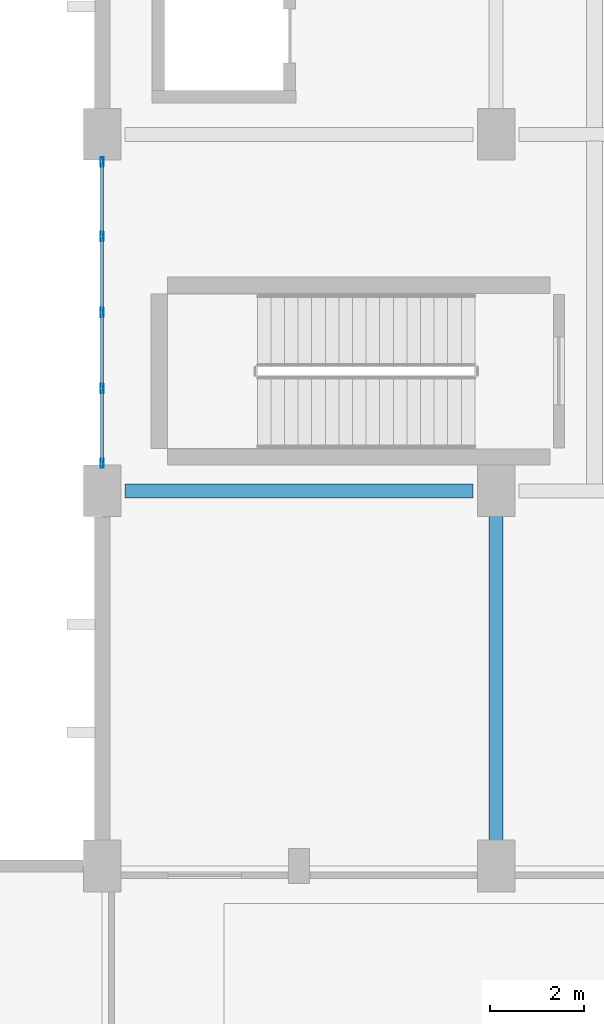
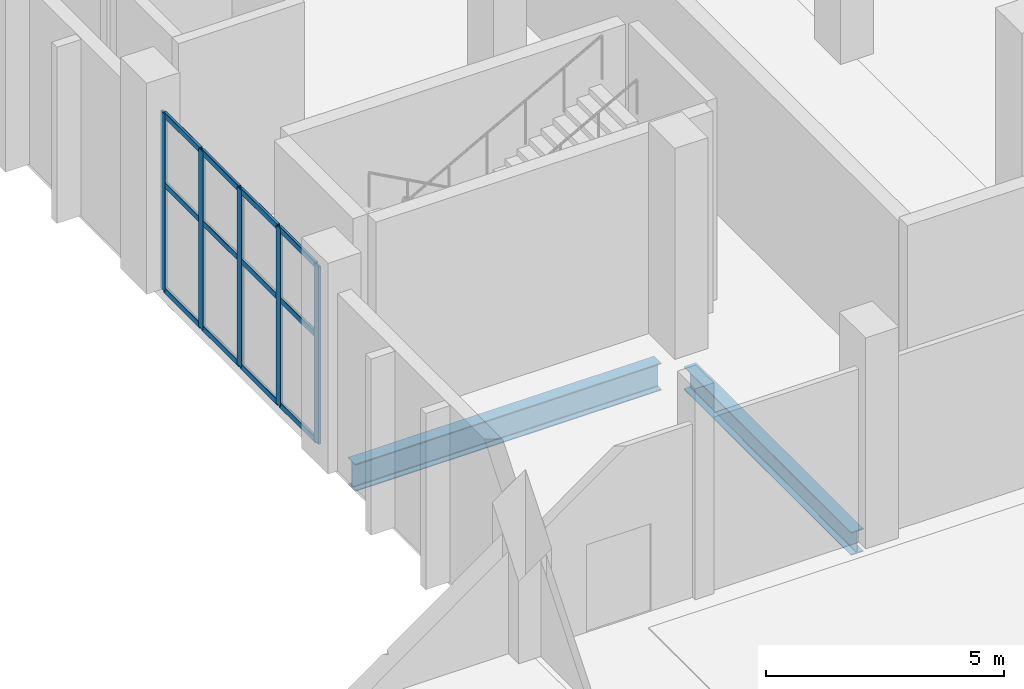
# One storey, part 41 of 95: 17 members, 2 beams, 1 element without a shape of its own.
"""IFC4 building model written with IfcOpenShell, lengths in metres."""

from ifc_helpers import new_model, si_unit, direction, frame, origin, origin_2d, place, context, subcontext, project, spatial, hollow_rectangle, i_section, extrude, material, material_profile, profile_set, type_object, element, aggregate, save


model = new_model("IFC4")

# Units and contexts
model_context = context("Model", 3, precision=1e-05, world=origin(), true_north=direction((0.0, 1.0)))
body_context = subcontext(model_context, "Body", "Model", "MODEL_VIEW")
ifc_project = project(units=[si_unit("LENGTHUNIT", "METRE"), si_unit("AREAUNIT", "SQUARE_METRE"), si_unit("VOLUMEUNIT", "CUBIC_METRE"), si_unit("PLANEANGLEUNIT", "RADIAN"), si_unit("MASSUNIT", "GRAM", prefix="KILO")], contexts=[model_context])

# Site, building, storey
site_placement = place(None, origin())
site = spatial("IfcSite", under=ifc_project, at=site_placement, CompositionType="ELEMENT")
building_placement = place(site_placement, origin())
building = spatial("IfcBuilding", under=site, at=building_placement, Name="Shengluoqiao Park Theatre", CompositionType="ELEMENT")
storey_placement = place(building_placement, origin())
storey = spatial("IfcBuildingStorey", under=building, at=storey_placement, Name="L00", CompositionType="ELEMENT", Elevation=0.0)

# Curtain wall, members
ifc_material_1 = material(Name="Aluminium 6063-T6", Category="aluminium")
curtain_wall_type = type_object("IfcCurtainWallType", Name="ENV-CW-CLERE", PredefinedType="NOTDEFINED", material=ifc_material_1)
curtain_wall_placement = place(storey_placement, origin())
curtain_wall = element("IfcCurtainWall", 1, at=curtain_wall_placement, inside=storey, type_object=curtain_wall_type, Name="L00 Curtain Wall CW-L00-0001", PredefinedType="NOTDEFINED")
ifc_material_profile_1 = material_profile(ifc_material_1, hollow_rectangle(XDim=0.06494140625, YDim=0.199951171875, WallThickness=0.0048828125, InnerFilletRadius=0.0048828125, OuterFilletRadius=0.010009765625, at=origin_2d()), Name="ALU MULLION 200x65x5")
ifc_profile_set_1 = profile_set([ifc_material_profile_1], Name="Aluminium 6063-T6")
member_type_1 = type_object("IfcMemberType", Name="ENV-MUL-200", PredefinedType="MULLION", material=ifc_profile_set_1)
member_1_placement = place(storey_placement, frame((44.39990234375, 84.58642578125, 0.0), z_axis=(0.0, 0.0, 1.0), x_axis=(-1.0, 0.0, 0.0)))
member_1 = element("IfcMember", 2, at=member_1_placement, type_object=member_type_1, Name="CW-06 mullion 1", PredefinedType="MULLION", context=body_context, shape_type="SweptSolid", body=[
    extrude(hollow_rectangle(XDim=0.06494140625, YDim=0.199951171875, WallThickness=0.0048828125, InnerFilletRadius=0.0048828125, OuterFilletRadius=0.010009765625, at=origin_2d()), origin(), (0.0, 0.0, 1.0), 4.550048828125),
])
member_2_placement = place(storey_placement, frame((44.39990234375, 86.177001953125, 0.0), z_axis=(0.0, 0.0, 1.0), x_axis=(-1.0, 0.0, 0.0)))
member_2 = element("IfcMember", 3, at=member_2_placement, type_object=member_type_1, Name="CW-06 mullion 2", PredefinedType="MULLION", context=body_context, shape_type="SweptSolid", body=[
    extrude(hollow_rectangle(XDim=0.06494140625, YDim=0.199951171875, WallThickness=0.0048828125, InnerFilletRadius=0.0048828125, OuterFilletRadius=0.010009765625, at=origin_2d()), origin(), (0.0, 0.0, 1.0), 4.550048828125),
])
member_3_placement = place(storey_placement, frame((44.39990234375, 87.800048828125, 0.0), z_axis=(0.0, 0.0, 1.0), x_axis=(-1.0, 0.0, 0.0)))
member_3 = element("IfcMember", 4, at=member_3_placement, type_object=member_type_1, Name="CW-06 mullion 3", PredefinedType="MULLION", context=body_context, shape_type="SweptSolid", body=[
    extrude(hollow_rectangle(XDim=0.06494140625, YDim=0.199951171875, WallThickness=0.0048828125, InnerFilletRadius=0.0048828125, OuterFilletRadius=0.010009765625, at=origin_2d()), origin(), (0.0, 0.0, 1.0), 4.550048828125),
])
member_4_placement = place(storey_placement, frame((44.39990234375, 89.423095703125, 0.0), z_axis=(0.0, 0.0, 1.0), x_axis=(-1.0, 0.0, 0.0)))
member_4 = element("IfcMember", 5, at=member_4_placement, type_object=member_type_1, Name="CW-06 mullion 4", PredefinedType="MULLION", context=body_context, shape_type="SweptSolid", body=[
    extrude(hollow_rectangle(XDim=0.06494140625, YDim=0.199951171875, WallThickness=0.0048828125, InnerFilletRadius=0.0048828125, OuterFilletRadius=0.010009765625, at=origin_2d()), origin(), (0.0, 0.0, 1.0), 4.550048828125),
])
member_5_placement = place(storey_placement, frame((44.39990234375, 91.013427734375, 0.0), z_axis=(0.0, 0.0, 1.0), x_axis=(-1.0, 0.0, 0.0)))
member_5 = element("IfcMember", 6, at=member_5_placement, type_object=member_type_1, Name="CW-06 mullion 5", PredefinedType="MULLION", context=body_context, shape_type="SweptSolid", body=[
    extrude(hollow_rectangle(XDim=0.06494140625, YDim=0.199951171875, WallThickness=0.0048828125, InnerFilletRadius=0.0048828125, OuterFilletRadius=0.010009765625, at=origin_2d()), origin(), (0.0, 0.0, 1.0), 4.550048828125),
])
ifc_material_profile_2 = material_profile(ifc_material_1, hollow_rectangle(XDim=0.06494140625, YDim=0.14990234375, WallThickness=0.00390625, InnerFilletRadius=0.00390625, OuterFilletRadius=0.008056640625, at=origin_2d()), Name="ALU TRANSOM 150x65x4")
ifc_profile_set_2 = profile_set([ifc_material_profile_2], Name="Aluminium 6063-T6")
member_type_2 = type_object("IfcMemberType", Name="ENV-TRN-150", PredefinedType="USERDEFINED", material=ifc_profile_set_2)
member_6_placement = place(storey_placement, frame((44.39990234375, 84.618896484375, 0.032470703125), z_axis=(0.0, 1.0, 0.0), x_axis=(-1.0, 0.0, 0.0)))
member_6 = element("IfcMember", 7, at=member_6_placement, type_object=member_type_2, Name="CW-06 transom 1.1", ObjectType="TRANSOM", PredefinedType="USERDEFINED", context=body_context, shape_type="SweptSolid", body=[
    extrude(hollow_rectangle(XDim=0.06494140625, YDim=0.14990234375, WallThickness=0.00390625, InnerFilletRadius=0.00390625, OuterFilletRadius=0.008056640625, at=origin_2d()), origin(), (0.0, 0.0, 1.0), 1.525634765625),
])
member_7_placement = place(storey_placement, frame((44.39990234375, 84.618896484375, 2.72998046875), z_axis=(0.0, 1.0, 0.0), x_axis=(-1.0, 0.0, 0.0)))
member_7 = element("IfcMember", 8, at=member_7_placement, type_object=member_type_2, Name="CW-06 transom 1.2", ObjectType="TRANSOM", PredefinedType="USERDEFINED", context=body_context, shape_type="SweptSolid", body=[
    extrude(hollow_rectangle(XDim=0.06494140625, YDim=0.14990234375, WallThickness=0.00390625, InnerFilletRadius=0.00390625, OuterFilletRadius=0.008056640625, at=origin_2d()), origin(), (0.0, 0.0, 1.0), 1.525634765625),
])
member_8_placement = place(storey_placement, frame((44.39990234375, 84.618896484375, 4.517578125), z_axis=(0.0, 1.0, 0.0), x_axis=(-1.0, 0.0, 0.0)))
member_8 = element("IfcMember", 9, at=member_8_placement, type_object=member_type_2, Name="CW-06 transom 1.3", ObjectType="TRANSOM", PredefinedType="USERDEFINED", context=body_context, shape_type="SweptSolid", body=[
    extrude(hollow_rectangle(XDim=0.06494140625, YDim=0.14990234375, WallThickness=0.00390625, InnerFilletRadius=0.00390625, OuterFilletRadius=0.008056640625, at=origin_2d()), origin(), (0.0, 0.0, 1.0), 1.525634765625),
])
member_9_placement = place(storey_placement, frame((44.39990234375, 86.20947265625, 0.032470703125), z_axis=(0.0, 1.0, 0.0), x_axis=(-1.0, 0.0, 0.0)))
member_9 = element("IfcMember", 10, at=member_9_placement, type_object=member_type_2, Name="CW-06 transom 2.1", ObjectType="TRANSOM", PredefinedType="USERDEFINED", context=body_context, shape_type="SweptSolid", body=[
    extrude(hollow_rectangle(XDim=0.06494140625, YDim=0.14990234375, WallThickness=0.00390625, InnerFilletRadius=0.00390625, OuterFilletRadius=0.008056640625, at=origin_2d()), origin(), (0.0, 0.0, 1.0), 1.55810546875),
])
member_10_placement = place(storey_placement, frame((44.39990234375, 86.20947265625, 2.72998046875), z_axis=(0.0, 1.0, 0.0), x_axis=(-1.0, 0.0, 0.0)))
member_10 = element("IfcMember", 11, at=member_10_placement, type_object=member_type_2, Name="CW-06 transom 2.2", ObjectType="TRANSOM", PredefinedType="USERDEFINED", context=body_context, shape_type="SweptSolid", body=[
    extrude(hollow_rectangle(XDim=0.06494140625, YDim=0.14990234375, WallThickness=0.00390625, InnerFilletRadius=0.00390625, OuterFilletRadius=0.008056640625, at=origin_2d()), origin(), (0.0, 0.0, 1.0), 1.55810546875),
])
member_11_placement = place(storey_placement, frame((44.39990234375, 86.20947265625, 4.517578125), z_axis=(0.0, 1.0, 0.0), x_axis=(-1.0, 0.0, 0.0)))
member_11 = element("IfcMember", 12, at=member_11_placement, type_object=member_type_2, Name="CW-06 transom 2.3", ObjectType="TRANSOM", PredefinedType="USERDEFINED", context=body_context, shape_type="SweptSolid", body=[
    extrude(hollow_rectangle(XDim=0.06494140625, YDim=0.14990234375, WallThickness=0.00390625, InnerFilletRadius=0.00390625, OuterFilletRadius=0.008056640625, at=origin_2d()), origin(), (0.0, 0.0, 1.0), 1.55810546875),
])
member_12_placement = place(storey_placement, frame((44.39990234375, 87.83251953125, 0.032470703125), z_axis=(0.0, 1.0, 0.0), x_axis=(-1.0, 0.0, 0.0)))
member_12 = element("IfcMember", 13, at=member_12_placement, type_object=member_type_2, Name="CW-06 transom 3.1", ObjectType="TRANSOM", PredefinedType="USERDEFINED", context=body_context, shape_type="SweptSolid", body=[
    extrude(hollow_rectangle(XDim=0.06494140625, YDim=0.14990234375, WallThickness=0.00390625, InnerFilletRadius=0.00390625, OuterFilletRadius=0.008056640625, at=origin_2d()), origin(), (0.0, 0.0, 1.0), 1.557861328125),
])
member_13_placement = place(storey_placement, frame((44.39990234375, 87.83251953125, 2.72998046875), z_axis=(0.0, 1.0, 0.0), x_axis=(-1.0, 0.0, 0.0)))
member_13 = element("IfcMember", 14, at=member_13_placement, type_object=member_type_2, Name="CW-06 transom 3.2", ObjectType="TRANSOM", PredefinedType="USERDEFINED", context=body_context, shape_type="SweptSolid", body=[
    extrude(hollow_rectangle(XDim=0.06494140625, YDim=0.14990234375, WallThickness=0.00390625, InnerFilletRadius=0.00390625, OuterFilletRadius=0.008056640625, at=origin_2d()), origin(), (0.0, 0.0, 1.0), 1.557861328125),
])
member_14_placement = place(storey_placement, frame((44.39990234375, 87.83251953125, 4.517578125), z_axis=(0.0, 1.0, 0.0), x_axis=(-1.0, 0.0, 0.0)))
member_14 = element("IfcMember", 15, at=member_14_placement, type_object=member_type_2, Name="CW-06 transom 3.3", ObjectType="TRANSOM", PredefinedType="USERDEFINED", context=body_context, shape_type="SweptSolid", body=[
    extrude(hollow_rectangle(XDim=0.06494140625, YDim=0.14990234375, WallThickness=0.00390625, InnerFilletRadius=0.00390625, OuterFilletRadius=0.008056640625, at=origin_2d()), origin(), (0.0, 0.0, 1.0), 1.557861328125),
])
member_15_placement = place(storey_placement, frame((44.39990234375, 89.45556640625, 0.032470703125), z_axis=(0.0, 1.0, 0.0), x_axis=(-1.0, 0.0, 0.0)))
member_15 = element("IfcMember", 16, at=member_15_placement, type_object=member_type_2, Name="CW-06 transom 4.1", ObjectType="TRANSOM", PredefinedType="USERDEFINED", context=body_context, shape_type="SweptSolid", body=[
    extrude(hollow_rectangle(XDim=0.06494140625, YDim=0.14990234375, WallThickness=0.00390625, InnerFilletRadius=0.00390625, OuterFilletRadius=0.008056640625, at=origin_2d()), origin(), (0.0, 0.0, 1.0), 1.525390625),
])
member_16_placement = place(storey_placement, frame((44.39990234375, 89.45556640625, 2.72998046875), z_axis=(0.0, 1.0, 0.0), x_axis=(-1.0, 0.0, 0.0)))
member_16 = element("IfcMember", 17, at=member_16_placement, type_object=member_type_2, Name="CW-06 transom 4.2", ObjectType="TRANSOM", PredefinedType="USERDEFINED", context=body_context, shape_type="SweptSolid", body=[
    extrude(hollow_rectangle(XDim=0.06494140625, YDim=0.14990234375, WallThickness=0.00390625, InnerFilletRadius=0.00390625, OuterFilletRadius=0.008056640625, at=origin_2d()), origin(), (0.0, 0.0, 1.0), 1.525390625),
])
member_17_placement = place(storey_placement, frame((44.39990234375, 89.45556640625, 4.517578125), z_axis=(0.0, 1.0, 0.0), x_axis=(-1.0, 0.0, 0.0)))
member_17 = element("IfcMember", 18, at=member_17_placement, type_object=member_type_2, Name="CW-06 transom 4.3", ObjectType="TRANSOM", PredefinedType="USERDEFINED", context=body_context, shape_type="SweptSolid", body=[
    extrude(hollow_rectangle(XDim=0.06494140625, YDim=0.14990234375, WallThickness=0.00390625, InnerFilletRadius=0.00390625, OuterFilletRadius=0.008056640625, at=origin_2d()), origin(), (0.0, 0.0, 1.0), 1.525390625),
])
aggregate(curtain_wall, [member_1, member_2, member_3, member_4, member_5, member_6, member_7, member_8, member_9, member_10, member_11, member_12, member_13, member_14, member_15, member_16, member_17])

# Beams
ifc_material_2 = material(Name="Steel Q355", Category="steel")
ifc_material_profile_3 = material_profile(ifc_material_2, i_section(OverallWidth=0.300048828125, OverallDepth=0.587890625, WebThickness=0.011962890625, FlangeThickness=0.02001953125, FilletRadius=0.02392578125, at=origin_2d()), Name="HM 588x300x12x20")
ifc_profile_set_3 = profile_set([ifc_material_profile_3], Name="Steel Q355")
beam_type_1 = type_object("IfcBeamType", Name="STR-BM-G-HM588", PredefinedType="BEAM", material=ifc_profile_set_3)
beam_1_placement = place(storey_placement, frame((52.800048828125, 76.493896484375, -0.593994140625), z_axis=(0.0, 1.0, 0.0), x_axis=(-1.0, 0.0, 0.0)))
element("IfcBeam", 19, at=beam_1_placement, inside=storey, type_object=beam_type_1, Name="L00 Transverse Girder 00086", PredefinedType="BEAM", context=body_context, shape_type="SweptSolid", body=[
    extrude(i_section(OverallWidth=0.300048828125, OverallDepth=0.587890625, WebThickness=0.011962890625, FlangeThickness=0.02001953125, FilletRadius=0.02392578125, at=origin_2d()), origin(), (0.0, 0.0, 1.0), 7.01220703125),
])
ifc_material_3 = material(Name="Steel Q390", Category="steel")
ifc_material_profile_4 = material_profile(ifc_material_3, i_section(OverallWidth=0.300048828125, OverallDepth=0.699951171875, WebThickness=0.012939453125, FlangeThickness=0.02392578125, FilletRadius=0.02392578125, at=origin_2d()), Name="HN 700x300x13x24")
ifc_profile_set_4 = profile_set([ifc_material_profile_4], Name="Steel Q390")
beam_type_2 = type_object("IfcBeamType", Name="STR-BM-G-HN700", PredefinedType="BEAM", material=ifc_profile_set_4)
beam_2_placement = place(storey_placement, frame((44.89404296875, 84.0, -0.64990234375), z_axis=(1.0, 0.0, 0.0), x_axis=(0.0, 1.0, 0.0)))
element("IfcBeam", 20, at=beam_2_placement, inside=storey, type_object=beam_type_2, Name="L00 Primary Girder 00079", PredefinedType="BEAM", context=body_context, shape_type="SweptSolid", body=[
    extrude(i_section(OverallWidth=0.300048828125, OverallDepth=0.699951171875, WebThickness=0.012939453125, FlangeThickness=0.02392578125, FilletRadius=0.02392578125, at=origin_2d()), origin(), (0.0, 0.0, 1.0), 7.411865234375),
])

save(model, "model.ifc")
